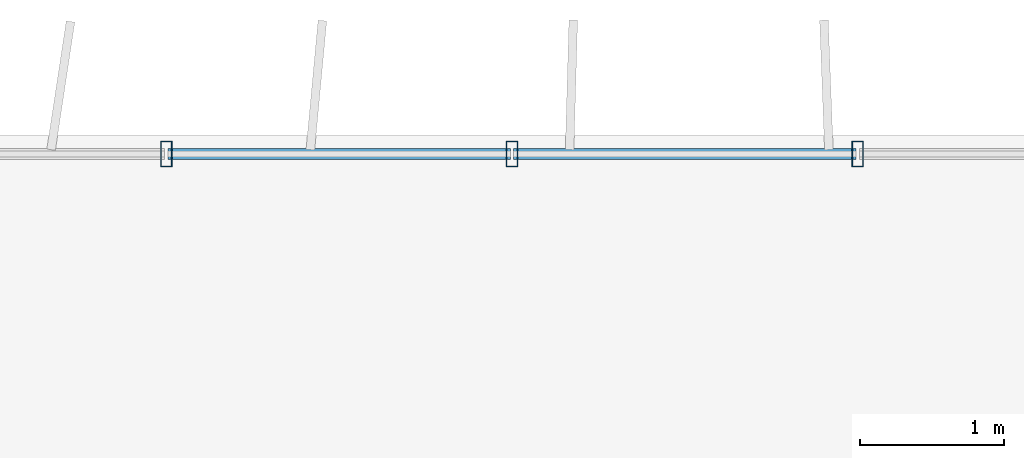
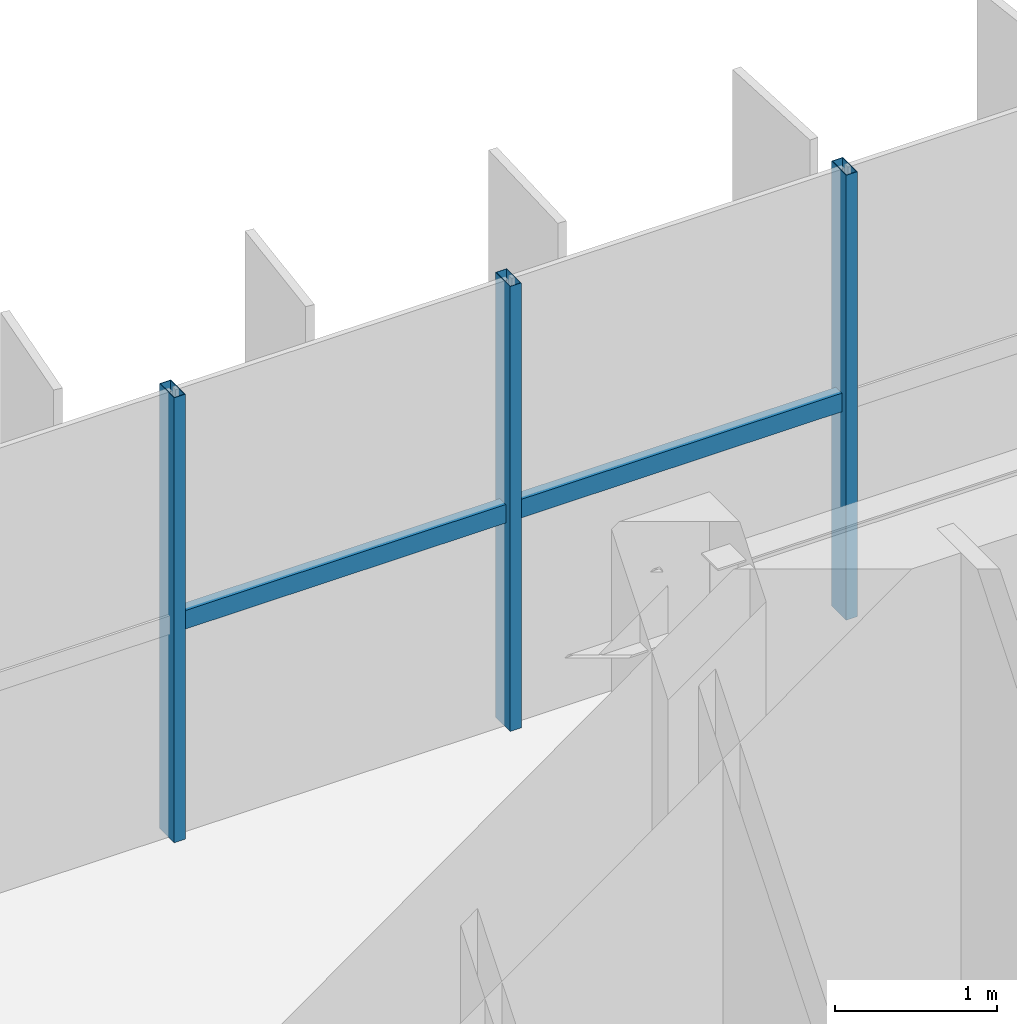
# One storey, part 10 of 19: 5 members, 1 element without a shape of its own.
"""IFC4 building model written with IfcOpenShell, lengths in metres."""

from ifc_helpers import new_model, si_unit, direction, frame, origin, origin_2d, place, context, subcontext, project, spatial, hollow_rectangle, extrude, source, transform, mapped, material, material_profile, profile_set, type_object, element, aggregate, save


model = new_model("IFC4")

# Units and contexts
model_context = context("Model", 3, precision=1e-05, world=origin(), true_north=direction((0.0, 1.0)))
body_context = subcontext(model_context, "Body", "Model", "MODEL_VIEW")
ifc_project = project(units=[si_unit("LENGTHUNIT", "METRE"), si_unit("AREAUNIT", "SQUARE_METRE"), si_unit("VOLUMEUNIT", "CUBIC_METRE"), si_unit("PLANEANGLEUNIT", "RADIAN"), si_unit("MASSUNIT", "GRAM", prefix="KILO")], contexts=[model_context])

# Site, building, storey
site_placement = place(None, origin())
site = spatial("IfcSite", under=ifc_project, at=site_placement, CompositionType="ELEMENT")
building_placement = place(site_placement, origin())
building = spatial("IfcBuilding", under=site, at=building_placement, Name="Trelvane Seafront Commons", CompositionType="ELEMENT")
storey_placement = place(building_placement, frame((0.0, 0.0, 215.699951171875)))
storey = spatial("IfcBuildingStorey", under=building, at=storey_placement, Name="L56", CompositionType="ELEMENT", Elevation=215.699951171875)

# Curtain wall, members
ifc_material = material(Name="Anodised pale-silver aluminium", Category="aluminium")
curtain_wall_type = type_object("IfcCurtainWallType", Name="ARCH-CW4-SKYLOBBY", PredefinedType="NOTDEFINED", material=ifc_material)
curtain_wall_placement = place(storey_placement, origin())
curtain_wall = element("IfcCurtainWall", 1, at=curtain_wall_placement, inside=storey, type_object=curtain_wall_type, Name="CW-L56-0099", PredefinedType="NOTDEFINED")
ifc_material_profile_1 = material_profile(ifc_material, hollow_rectangle(XDim=0.074951171875, YDim=0.139892578125, WallThickness=0.00390625, at=origin_2d()), Name="TRAN-75x140x4")
ifc_profile_set_1 = profile_set([ifc_material_profile_1], Name="Anodised pale-silver aluminium")
member_type_1 = type_object("IfcMemberType", Name="ARCH-CW-TRAN-140", PredefinedType="USERDEFINED", material=ifc_profile_set_1)
shared_shape_1 = source(origin(), body_context, "Body", "SweptSolid", [
    extrude(hollow_rectangle(XDim=0.074951171875, YDim=0.139892578125, WallThickness=0.00390625, at=origin_2d()), origin(), (0.0, 0.0, 1.0), 2.3759765625),
])
member_1_placement = place(storey_placement, frame((42.011962890625, 48.3701171875, 1.613037109375), z_axis=(1.0, 0.0, 0.0), x_axis=(0.0, 1.0, 0.0)))
member_1 = element("IfcMember", 2, at=member_1_placement, type_object=member_type_1, Name="CW-L56-0099-T11", ObjectType="TRANSOM", PredefinedType="USERDEFINED", context=body_context, shape_type="MappedRepresentation", body=[
    mapped(shared_shape_1, transform((0.0, 0.0, 0.0), x_axis=(1.0, 0.0, 0.0), y_axis=(0.0, 1.0, 0.0), z_axis=(0.0, 0.0, 1.0), scale=1.0)),
])
member_2_placement = place(storey_placement, frame((44.412109375, 48.3701171875, 1.613037109375), z_axis=(1.0, 0.0, 0.0), x_axis=(0.0, 1.0, 0.0)))
member_2 = element("IfcMember", 3, at=member_2_placement, type_object=member_type_1, Name="CW-L56-0099-T12", ObjectType="TRANSOM", PredefinedType="USERDEFINED", context=body_context, shape_type="MappedRepresentation", body=[
    mapped(shared_shape_1, transform((0.0, 0.0, 0.0), x_axis=(1.0, 0.0, 0.0), y_axis=(0.0, 1.0, 0.0), z_axis=(0.0, 0.0, 1.0), scale=1.0)),
])
ifc_material_profile_2 = material_profile(ifc_material, hollow_rectangle(XDim=0.080078125, YDim=0.179931640625, WallThickness=0.00439453125, at=origin_2d()), Name="MULL-80x180x4.5")
ifc_profile_set_2 = profile_set([ifc_material_profile_2], Name="Anodised pale-silver aluminium")
member_type_2 = type_object("IfcMemberType", Name="ARCH-CW-MULL-180", PredefinedType="MULLION", material=ifc_profile_set_2)
shared_shape_2 = source(origin(), body_context, "Body", "SweptSolid", [
    extrude(hollow_rectangle(XDim=0.080078125, YDim=0.179931640625, WallThickness=0.00439453125, at=origin_2d()), origin(), (0.0, 0.0, 1.0), 3.360107421875),
])
member_3_placement = place(storey_placement, frame((42.0, 48.3701171875, 0.0), z_axis=(0.0, 0.0, 1.0), x_axis=(1.0, 0.0, 0.0)))
member_3 = element("IfcMember", 4, at=member_3_placement, type_object=member_type_2, Name="CW-L56-0099-M11", PredefinedType="MULLION", context=body_context, shape_type="MappedRepresentation", body=[
    mapped(shared_shape_2, transform((0.0, 0.0, 0.0), x_axis=(1.0, 0.0, 0.0), y_axis=(0.0, 1.0, 0.0), z_axis=(0.0, 0.0, 1.0), scale=1.0)),
])
member_4_placement = place(storey_placement, frame((44.39990234375, 48.3701171875, 0.0), z_axis=(0.0, 0.0, 1.0), x_axis=(1.0, 0.0, 0.0)))
member_4 = element("IfcMember", 5, at=member_4_placement, type_object=member_type_2, Name="CW-L56-0099-M12", PredefinedType="MULLION", context=body_context, shape_type="MappedRepresentation", body=[
    mapped(shared_shape_2, transform((0.0, 0.0, 0.0), x_axis=(1.0, 0.0, 0.0), y_axis=(0.0, 1.0, 0.0), z_axis=(0.0, 0.0, 1.0), scale=1.0)),
])
member_5_placement = place(storey_placement, frame((46.800048828125, 48.3701171875, 0.0), z_axis=(0.0, 0.0, 1.0), x_axis=(1.0, 0.0, 0.0)))
member_5 = element("IfcMember", 6, at=member_5_placement, type_object=member_type_2, Name="CW-L56-0099-M13", PredefinedType="MULLION", context=body_context, shape_type="MappedRepresentation", body=[
    mapped(shared_shape_2, transform((0.0, 0.0, 0.0), x_axis=(1.0, 0.0, 0.0), y_axis=(0.0, 1.0, 0.0), z_axis=(0.0, 0.0, 1.0), scale=1.0)),
])
aggregate(curtain_wall, [member_3, member_4, member_5, member_1, member_2])

save(model, "model.ifc")
